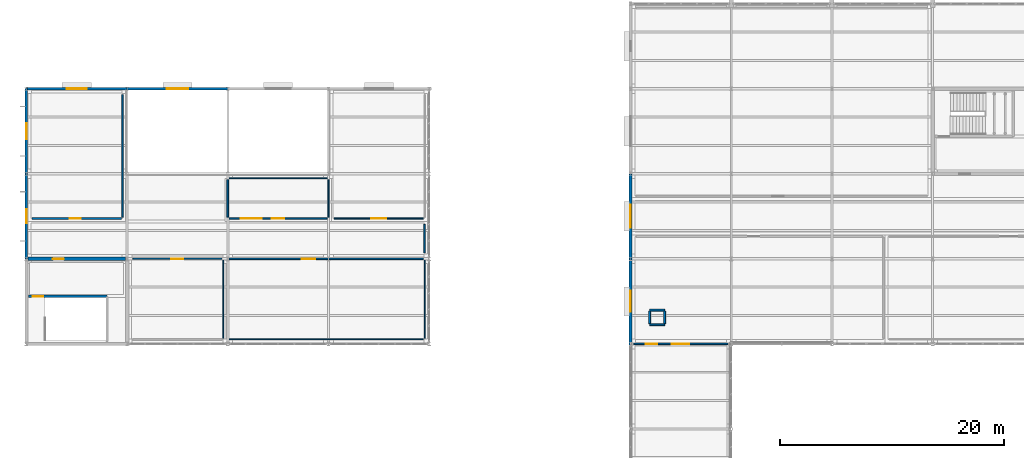
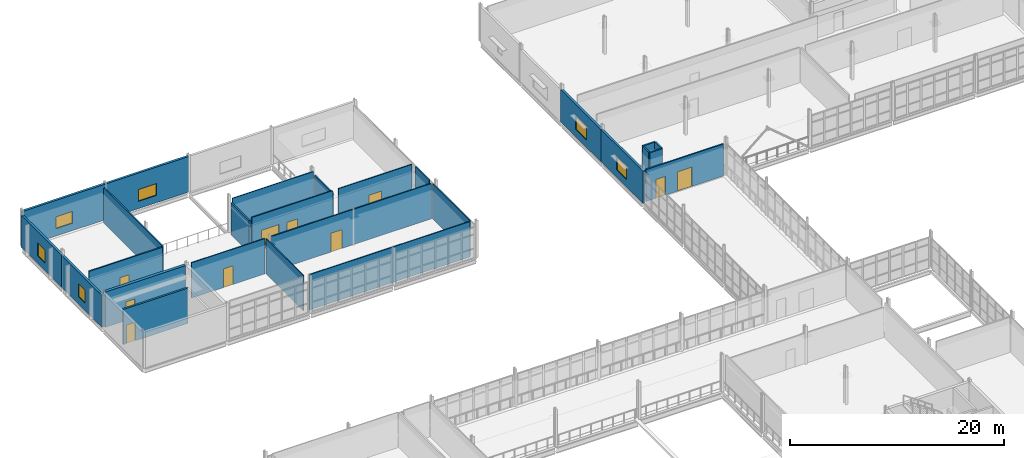
# One storey, part 158 of 174: 26 walls, 10 doors, 6 windows, 16 openings.
"""IFC4 building model written with IfcOpenShell, lengths in metres."""

import ifcopenshell
import ifcopenshell.guid

model = None  # the IFC model being written
_history = None  # IfcOwnerHistory: only IFC2X3 demands one
_inside = {}  # id of a spatial element -> (the spatial element, [elements in it])
_under = {}  # id of a project, library or spatial element -> (it, [spatial elements below it])
_declared = {}  # id of a project -> (the project, [libraries it declares])
_typed = {}  # id of a type object -> (the type object, [elements of that type])
_made_of = {}  # id of a material, layer set ... -> (it, [elements and type objects made of it])


def new_model(schema):
    """Start an empty IFC model of exactly this schema.

    Asked for "IFC4X3", IfcOpenShell would pick the latest addendum, in which some entities
    have other attributes; the version numbers below select the first issue.
    IFC2X3 requires an IfcOwnerHistory on every rooted entity: one is made here for all.
    """
    global model, _history
    if schema == "IFC4X3":
        model = ifcopenshell.file(schema_version=(4, 3, 0, 0))
    else:
        model = ifcopenshell.file(schema=schema)
    _inside.clear()
    _under.clear()
    _declared.clear()
    _typed.clear()
    _made_of.clear()
    _history = None
    if model.schema == "IFC2X3":
        org = make("IfcOrganization", Name="unknown")
        user = make(
            "IfcPersonAndOrganization",
            ThePerson=make("IfcPerson", FamilyName="unknown"),
            TheOrganization=org,
        )
        app = make(
            "IfcApplication",
            ApplicationDeveloper=org,
            Version="unknown",
            ApplicationFullName="unknown",
            ApplicationIdentifier="unknown",
        )
        _history = make(
            "IfcOwnerHistory",
            OwningUser=user,
            OwningApplication=app,
            ChangeAction="ADDED",
            CreationDate=0,
        )
    return model


def make(cls, **values):
    """One entity of the class cls with the attributes given. An attribute that is None is left unset."""
    return model.create_entity(
        cls, **{name: value for name, value in values.items() if value is not None}
    )


def rooted(cls, **values):
    """An entity with a GlobalId (a new one), such as an element, a storey or a relation."""
    return make(cls, GlobalId=ifcopenshell.guid.new(), OwnerHistory=_history, **values)


def si_unit(unit_type, name, prefix=None):
    """IfcSIUnit, for example si_unit("LENGTHUNIT", "METRE", prefix="MILLI")."""
    return make("IfcSIUnit", UnitType=unit_type, Prefix=prefix, Name=name)


def assignment(units):
    """IfcUnitAssignment: the units of a project."""
    return None if units is None else make("IfcUnitAssignment", Units=units)


def point(xyz):
    """IfcCartesianPoint."""
    return None if xyz is None else make("IfcCartesianPoint", Coordinates=xyz)


def direction(xyz):
    """IfcDirection."""
    return None if xyz is None else make("IfcDirection", DirectionRatios=xyz)


def frame(location, z_axis=None, x_axis=None):
    """IfcAxis2Placement3D, a coordinate frame: its origin and axes. An axis left out is left unset."""
    return make(
        "IfcAxis2Placement3D",
        Location=point(location),
        Axis=direction(z_axis),
        RefDirection=direction(x_axis),
    )


def frame_2d(location, x_axis=None):
    """IfcAxis2Placement2D, a coordinate frame in the plane: its origin and x axis."""
    return make(
        "IfcAxis2Placement2D", Location=point(location), RefDirection=direction(x_axis)
    )


def origin():
    """The frame at (0, 0, 0) with its axes left unset."""
    return frame((0.0, 0.0, 0.0))


def place(relative_to, where):
    """IfcLocalPlacement: puts the frame where relative to a parent placement (None: the world)."""
    return make(
        "IfcLocalPlacement", PlacementRelTo=relative_to, RelativePlacement=where
    )


def context(
    kind, dimensions, precision=None, world=None, true_north=None, identifier=None
):
    """IfcGeometricRepresentationContext, for example the 3D "Model" context."""
    return make(
        "IfcGeometricRepresentationContext",
        ContextIdentifier=identifier,
        ContextType=kind,
        CoordinateSpaceDimension=dimensions,
        Precision=precision,
        WorldCoordinateSystem=world,
        TrueNorth=true_north,
    )


def subcontext(parent, identifier, kind, view, scale=None):
    """IfcGeometricRepresentationSubContext, for example "Body" below "Model"."""
    return make(
        "IfcGeometricRepresentationSubContext",
        ContextIdentifier=identifier,
        ContextType=kind,
        ParentContext=parent,
        TargetScale=scale,
        TargetView=view,
    )


def project(units=None, contexts=None):
    """IfcProject with its units and contexts."""
    return rooted(
        "IfcProject",
        Name="project",
        RepresentationContexts=contexts,
        UnitsInContext=assignment(units),
    )


def spatial(cls, under=None, at=None, **own):
    """A site, building, storey or space (cls), placed at a placement, below another one or the project."""
    s = rooted(cls, ObjectPlacement=at, **own)
    if under is not None:
        _under.setdefault(under.id(), (under, []))[1].append(s)
    return s


def profile(cls, at=None, kind="AREA", **sizes):
    """A parametric profile (cls). Its sizes go by their IFC names, for example OverallWidth=200.0."""
    return make(cls, ProfileType=kind, Position=at, **sizes)


def rectangle(**sizes):
    """IfcRectangleProfileDef."""
    return profile("IfcRectangleProfileDef", **sizes)


def extrude(swept, where, along, depth):
    """IfcExtrudedAreaSolid: the profile swept, set in the frame where, extruded along a direction by depth."""
    return make(
        "IfcExtrudedAreaSolid",
        SweptArea=swept,
        Position=where,
        ExtrudedDirection=direction(along),
        Depth=depth,
    )


def shape(context_of_items, identifier, shape_type, items):
    """IfcShapeRepresentation: the items that make up one representation, for example the "Body"."""
    return make(
        "IfcShapeRepresentation",
        ContextOfItems=context_of_items,
        RepresentationIdentifier=identifier,
        RepresentationType=shape_type,
        Items=items,
    )


def material(Name=None, Category=None):
    """IfcMaterial."""
    return make("IfcMaterial", Name=Name, Category=Category)


def layer(
    of_material, thickness, ventilated=None, Name=None, Category=None, Priority=None
):
    """IfcMaterialLayer: one layer of a wall or slab, of a material (None: an air gap)."""
    return make(
        "IfcMaterialLayer",
        Material=of_material,
        LayerThickness=thickness,
        IsVentilated=ventilated,
        Name=Name,
        Category=Category,
        Priority=Priority,
    )


def layer_set(layers, Name=None):
    """IfcMaterialLayerSet."""
    return make("IfcMaterialLayerSet", MaterialLayers=layers, LayerSetName=Name)


def made_of(thing, what):
    """Note that an element or type object is made of a material, layer set ...; save() writes the relation."""
    if what is not None:
        _made_of.setdefault(what.id(), (what, []))[1].append(thing)
    return thing


def type_object(cls, material=None, **own):
    """A type object (cls), such as IfcWallType, which elements share."""
    return made_of(rooted(cls, **own), material)


def element(
    cls,
    number,
    at=None,
    inside=None,
    cuts=None,
    type_object=None,
    material=None,
    context=None,
    identifier="Body",
    shape_type=None,
    held_by="IfcProductDefinitionShape",
    body=None,
    shapes=None,
    **own,
):
    """One element of the class cls, such as IfcWall. Its Tag is "e" and its number.

    at: its placement. inside: the storey or other place that contains it. cuts: it is an
    opening in that element (IfcRelVoidsElement). A single representation is given by context,
    identifier, shape_type and body (its items); several are given by shapes. held_by: the class
    of the entity that holds the representations. save() writes the other relations.
    """
    e = rooted(cls, Tag="e%d" % number, ObjectPlacement=at, **own)
    if body is not None:
        shapes = [shape(context, identifier, shape_type, body)]
    if shapes is not None:
        e.Representation = make(held_by, Representations=shapes)
    if inside is not None:
        _inside.setdefault(inside.id(), (inside, []))[1].append(e)
    if cuts is not None:
        rooted(
            "IfcRelVoidsElement", RelatingBuildingElement=cuts, RelatedOpeningElement=e
        )
    if type_object is not None:
        _typed.setdefault(type_object.id(), (type_object, []))[1].append(e)
    return made_of(e, material)


def fill(opening, filler):
    """IfcRelFillsElement: the door or window that sits in an opening."""
    return rooted(
        "IfcRelFillsElement",
        RelatingOpeningElement=opening,
        RelatedBuildingElement=filler,
    )


def aggregate(whole, parts):
    """IfcRelAggregates: a whole, such as a stair, and the parts it consists of."""
    return rooted("IfcRelAggregates", RelatingObject=whole, RelatedObjects=parts)


def save(model, path):
    """Write the relations noted so far, then the file.

    IfcRelAggregates (storeys below a building ...), IfcRelContainedInSpatialStructure (elements
    in a storey), IfcRelDefinesByType, IfcRelAssociatesMaterial and IfcRelDeclares: one each for
    every whole, place, type object, material and project.
    """
    for whole, parts in _under.values():
        aggregate(whole, parts)
    for where, things in _inside.values():
        rooted(
            "IfcRelContainedInSpatialStructure",
            RelatedElements=things,
            RelatingStructure=where,
        )
    for kind, things in _typed.values():
        rooted("IfcRelDefinesByType", RelatedObjects=things, RelatingType=kind)
    for what, things in _made_of.values():
        rooted("IfcRelAssociatesMaterial", RelatedObjects=things, RelatingMaterial=what)
    for by, libraries in _declared.values():
        rooted("IfcRelDeclares", RelatingContext=by, RelatedDefinitions=libraries)
    model.write(path)


model = new_model("IFC4")

# Units and contexts
model_context = context("Model", 3, precision=1e-05, world=origin(), true_north=direction((0.0, 1.0)))
body_context = subcontext(model_context, "Body", "Model", "MODEL_VIEW")
ifc_project = project(units=[si_unit("LENGTHUNIT", "METRE"), si_unit("AREAUNIT", "SQUARE_METRE"), si_unit("VOLUMEUNIT", "CUBIC_METRE"), si_unit("PLANEANGLEUNIT", "RADIAN"), si_unit("MASSUNIT", "GRAM", prefix="KILO")], contexts=[model_context])

# Site, building, storey
site_placement = place(None, origin())
site = spatial("IfcSite", under=ifc_project, at=site_placement, CompositionType="ELEMENT")
building_placement = place(site_placement, origin())
building = spatial("IfcBuilding", under=site, at=building_placement, Name="Caisbarro Railhouse Central Library", CompositionType="ELEMENT")
storey_placement = place(building_placement, frame((0.0, 0.0, 5.0400390625)))
storey = spatial("IfcBuildingStorey", under=building, at=storey_placement, Name="L01", CompositionType="ELEMENT", Elevation=5.0400390625)

# Wall, opening, door
ifc_material_1 = material(Name="Concrete C40", Category="concrete")
ifc_layer_1 = layer(ifc_material_1, 0.320068359375, Name="Concrete C40")
ifc_layer_set_1 = layer_set([ifc_layer_1], Name="Concrete C40")
wall_type_1 = type_object("IfcWallType", Name="WAL-CW32", PredefinedType="SHEAR", material=ifc_layer_set_1)
wall_1_placement = place(storey_placement, frame((0.159912109375, 91.199951171875, 0.0), z_axis=(0.0, 0.0, 1.0), x_axis=(1.0, 0.0, 0.0)))
wall_1 = element("IfcWall", 1, at=wall_1_placement, inside=storey, type_object=wall_type_1, Name="CW32 RC core shear wall L01 #109", PredefinedType="SHEAR", context=body_context, shape_type="SweptSolid", body=[
    extrude(rectangle(XDim=8.68017578125, YDim=0.320068359375, at=frame_2d((4.340087890625, 0.0))), origin(), (0.0, 0.0, 1.0), 4.0400390625),
])
opening_1_placement = place(wall_1_placement, frame((2.199951171875, 0.0, 0.0)))
opening_1 = element("IfcOpeningElement", 2, at=opening_1_placement, cuts=wall_1, Name="Opening FD05", PredefinedType="OPENING", context=body_context, shape_type="SweptSolid", body=[
    extrude(rectangle(XDim=1.0, YDim=2.14990234375, at=frame_2d((0.5, 1.074951171875))), frame((0.0, 0.169921875, 0.0), z_axis=(0.0, -1.0, 0.0), x_axis=(1.0, 0.0, 0.0)), (0.0, 0.0, 1.0), 0.340087890625),
])
ifc_material_2 = material(Name="Fire-rated painted galvanised steel", Category="steel")
door_type_1 = type_object("IfcDoorType", Name="DR-FD05", OperationType="NOTDEFINED", PredefinedType="DOOR", material=ifc_material_2)
door_1_placement = place(opening_1_placement, origin())
door_1 = element("IfcDoor", 3, at=door_1_placement, inside=storey, type_object=door_type_1, Name="Core K8 Lobby Door FD05 L01-140", OperationType="SINGLE_SWING_LEFT", OverallHeight=2.14990234375, OverallWidth=1.0, PredefinedType="DOOR", context=body_context, shape_type="SweptSolid", body=[
    extrude(rectangle(XDim=1.0, YDim=2.14990234375, at=frame_2d((0.5, 1.074951171875))), frame((0.0, 0.02490234375, 0.0), z_axis=(0.0, -1.0, 0.0), x_axis=(1.0, 0.0, 0.0)), (0.0, 0.0, 1.0), 0.050048828125),
])
fill(opening_1, door_1)

# Wall, opening, window
ifc_material_3 = material(Name="Concrete C35 insulated architectural precast", Category="concrete")
ifc_layer_2 = layer(ifc_material_3, 0.239990234375, Name="Concrete C35 insulated architectural precast")
ifc_layer_set_2 = layer_set([ifc_layer_2], Name="Concrete C35 insulated architectural precast")
wall_type_2 = type_object("IfcWallType", Name="WAL-EW24", PredefinedType="STANDARD", material=ifc_layer_set_2)
wall_2_placement = place(storey_placement, frame((0.0, 106.39990234375, 0.0), z_axis=(0.0, 0.0, 1.0), x_axis=(1.0, 0.0, 0.0)))
wall_2 = element("IfcWall", 4, at=wall_2_placement, inside=storey, type_object=wall_type_2, Name="EW24 exterior wall L01 #149", PredefinedType="STANDARD", context=body_context, shape_type="SweptSolid", body=[
    extrude(rectangle(XDim=9.0, YDim=0.239990234375, at=frame_2d((4.5, 0.0))), origin(), (0.0, 0.0, 1.0), 4.080078125),
])
opening_2_placement = place(wall_2_placement, frame((3.625, 0.0, 0.85009765625)))
opening_2 = element("IfcOpeningElement", 5, at=opening_2_placement, cuts=wall_2, Name="Opening W15", PredefinedType="OPENING", context=body_context, shape_type="SweptSolid", body=[
    extrude(rectangle(XDim=1.75, YDim=1.35009765625, at=frame_2d((0.875, 0.675048828125))), frame((0.0, 0.1298828125, 0.0), z_axis=(0.0, -1.0, 0.0), x_axis=(1.0, 0.0, 0.0)), (0.0, 0.0, 1.0), 0.260009765625),
])
ifc_material_4 = material(Name="Double low-e laminated solar-control glass", Category="glass")
window_type_1 = type_object("IfcWindowType", Name="WIN-W15", PartitioningType="SINGLE_PANEL", PredefinedType="WINDOW", material=ifc_material_4)
window_1_placement = place(opening_2_placement, origin())
window_1 = element("IfcWindow", 6, at=window_1_placement, inside=storey, type_object=window_type_1, Name="W15 window L01-058", OverallHeight=1.35009765625, OverallWidth=1.75, PartitioningType="SINGLE_PANEL", PredefinedType="WINDOW", context=body_context, shape_type="SweptSolid", body=[
    extrude(rectangle(XDim=1.75, YDim=1.35009765625, at=frame_2d((0.875, 0.675048828125))), frame((0.0, 0.030029296875, 0.0), z_axis=(0.0, -1.0, 0.0), x_axis=(1.0, 0.0, 0.0)), (0.0, 0.0, 1.0), 0.06005859375),
])
fill(opening_2, window_1)

wall_3_placement = place(storey_placement, frame((9.0, 106.39990234375, 0.0), z_axis=(0.0, 0.0, 1.0), x_axis=(1.0, 0.0, 0.0)))
wall_3 = element("IfcWall", 7, at=wall_3_placement, inside=storey, type_object=wall_type_2, Name="EW24 exterior wall L01 #150", PredefinedType="STANDARD", context=body_context, shape_type="SweptSolid", body=[
    extrude(rectangle(XDim=9.0, YDim=0.239990234375, at=frame_2d((4.5, 0.0))), origin(), (0.0, 0.0, 1.0), 4.080078125),
])
opening_3_placement = place(wall_3_placement, frame((3.52490234375, 0.0, 0.85009765625)))
opening_3 = element("IfcOpeningElement", 8, at=opening_3_placement, cuts=wall_3, Name="Opening W16", PredefinedType="OPENING", context=body_context, shape_type="SweptSolid", body=[
    extrude(rectangle(XDim=1.949951171875, YDim=1.35009765625, at=frame_2d((0.97509765625, 0.675048828125))), frame((0.0, 0.1298828125, 0.0), z_axis=(0.0, -1.0, 0.0), x_axis=(1.0, 0.0, 0.0)), (0.0, 0.0, 1.0), 0.260009765625),
])
window_type_2 = type_object("IfcWindowType", Name="WIN-W16", PartitioningType="SINGLE_PANEL", PredefinedType="WINDOW", material=ifc_material_4)
window_2_placement = place(opening_3_placement, origin())
window_2 = element("IfcWindow", 9, at=window_2_placement, inside=storey, type_object=window_type_2, Name="W16 window L01-059", OverallHeight=1.35009765625, OverallWidth=1.949951171875, PartitioningType="SINGLE_PANEL", PredefinedType="WINDOW", context=body_context, shape_type="SweptSolid", body=[
    extrude(rectangle(XDim=1.949951171875, YDim=1.35009765625, at=frame_2d((0.97509765625, 0.675048828125))), frame((0.0, 0.030029296875, 0.0), z_axis=(0.0, -1.0, 0.0), x_axis=(1.0, 0.0, 0.0)), (0.0, 0.0, 1.0), 0.06005859375),
])
fill(opening_3, window_2)

wall_4_placement = place(storey_placement, frame((0.0, 91.199951171875, 0.0), z_axis=(0.0, 0.0, 1.0), x_axis=(0.0, 1.0, 0.0)))
wall_4 = element("IfcWall", 10, at=wall_4_placement, inside=storey, type_object=wall_type_2, Name="EW24 exterior wall L01 #154", PredefinedType="STANDARD", context=body_context, shape_type="SweptSolid", body=[
    extrude(rectangle(XDim=7.60009765625, YDim=0.239990234375, at=frame_2d((3.800048828125, 0.0))), origin(), (0.0, 0.0, 1.0), 3.659423828125),
])
opening_4_placement = place(wall_4_placement, frame((3.175048828125, 0.0, 0.85009765625)))
opening_4 = element("IfcOpeningElement", 11, at=opening_4_placement, cuts=wall_4, Name="Opening W20", PredefinedType="OPENING", context=body_context, shape_type="SweptSolid", body=[
    extrude(rectangle(XDim=1.25, YDim=1.5, at=frame_2d((0.625, 0.75))), frame((0.0, 0.1298828125, 0.0), z_axis=(0.0, -1.0, 0.0), x_axis=(1.0, 0.0, 0.0)), (0.0, 0.0, 1.0), 0.260009765625),
])
window_type_3 = type_object("IfcWindowType", Name="WIN-W20", PartitioningType="SINGLE_PANEL", PredefinedType="WINDOW", material=ifc_material_4)
window_3_placement = place(opening_4_placement, origin())
window_3 = element("IfcWindow", 12, at=window_3_placement, inside=storey, type_object=window_type_3, Name="W20 window L01-062", OverallHeight=1.5, OverallWidth=1.25, PartitioningType="SINGLE_PANEL", PredefinedType="WINDOW", context=body_context, shape_type="SweptSolid", body=[
    extrude(rectangle(XDim=1.25, YDim=1.5, at=frame_2d((0.625, 0.75))), frame((0.0, 0.030029296875, 0.0), z_axis=(0.0, -1.0, 0.0), x_axis=(1.0, 0.0, 0.0)), (0.0, 0.0, 1.0), 0.06005859375),
])
fill(opening_4, window_3)

wall_5_placement = place(storey_placement, frame((0.0, 98.800048828125, 0.0), z_axis=(0.0, 0.0, 1.0), x_axis=(0.0, 1.0, 0.0)))
wall_5 = element("IfcWall", 13, at=wall_5_placement, inside=storey, type_object=wall_type_2, Name="EW24 exterior wall L01 #155", PredefinedType="STANDARD", context=body_context, shape_type="SweptSolid", body=[
    extrude(rectangle(XDim=7.599853515625, YDim=0.239990234375, at=frame_2d((3.7998046875, 0.0))), origin(), (0.0, 0.0, 1.0), 3.659423828125),
])
opening_5_placement = place(wall_5_placement, frame((3.10009765625, 0.0, 0.85009765625)))
opening_5 = element("IfcOpeningElement", 14, at=opening_5_placement, cuts=wall_5, Name="Opening W21", PredefinedType="OPENING", context=body_context, shape_type="SweptSolid", body=[
    extrude(rectangle(XDim=1.39990234375, YDim=1.5, at=frame_2d((0.699951171875, 0.75))), frame((0.0, 0.1298828125, 0.0), z_axis=(0.0, -1.0, 0.0), x_axis=(1.0, 0.0, 0.0)), (0.0, 0.0, 1.0), 0.260009765625),
])
window_type_4 = type_object("IfcWindowType", Name="WIN-W21", PartitioningType="SINGLE_PANEL", PredefinedType="WINDOW", material=ifc_material_4)
window_4_placement = place(opening_5_placement, origin())
window_4 = element("IfcWindow", 15, at=window_4_placement, inside=storey, type_object=window_type_4, Name="W21 window L01-063", OverallHeight=1.5, OverallWidth=1.39990234375, PartitioningType="SINGLE_PANEL", PredefinedType="WINDOW", context=body_context, shape_type="SweptSolid", body=[
    extrude(rectangle(XDim=1.39990234375, YDim=1.5, at=frame_2d((0.699951171875, 0.75))), frame((0.0, 0.030029296875, 0.0), z_axis=(0.0, -1.0, 0.0), x_axis=(1.0, 0.0, 0.0)), (0.0, 0.0, 1.0), 0.06005859375),
])
fill(opening_5, window_4)

wall_6_placement = place(storey_placement, frame((54.0, 83.389892578125, 0.0), z_axis=(0.0, 0.0, 1.0), x_axis=(0.0, 1.0, 0.0)))
wall_6 = element("IfcWall", 16, at=wall_6_placement, inside=storey, type_object=wall_type_2, Name="EW24 exterior wall L01 #241", PredefinedType="STANDARD", context=body_context, shape_type="SweptSolid", body=[
    extrude(rectangle(XDim=7.81005859375, YDim=0.239990234375, at=frame_2d((3.905029296875, 0.0))), origin(), (0.0, 0.0, 1.0), 3.700927734375),
])
opening_6_placement = place(wall_6_placement, frame((3.0849609375, 0.0, 0.85009765625)))
opening_6 = element("IfcOpeningElement", 17, at=opening_6_placement, cuts=wall_6, Name="Opening W23", PredefinedType="OPENING", context=body_context, shape_type="SweptSolid", body=[
    extrude(rectangle(XDim=1.85009765625, YDim=1.5, at=frame_2d((0.925048828125, 0.75))), frame((0.0, 0.1298828125, 0.0), z_axis=(0.0, -1.0, 0.0), x_axis=(1.0, 0.0, 0.0)), (0.0, 0.0, 1.0), 0.260009765625),
])
window_type_5 = type_object("IfcWindowType", Name="WIN-W23", PartitioningType="SINGLE_PANEL", PredefinedType="WINDOW", material=ifc_material_4)
window_5_placement = place(opening_6_placement, origin())
window_5 = element("IfcWindow", 18, at=window_5_placement, inside=storey, type_object=window_type_5, Name="W23 window L01-089", OverallHeight=1.5, OverallWidth=1.85009765625, PartitioningType="SINGLE_PANEL", PredefinedType="WINDOW", context=body_context, shape_type="SweptSolid", body=[
    extrude(rectangle(XDim=1.85009765625, YDim=1.5, at=frame_2d((0.925048828125, 0.75))), frame((0.0, 0.030029296875, 0.0), z_axis=(0.0, -1.0, 0.0), x_axis=(1.0, 0.0, 0.0)), (0.0, 0.0, 1.0), 0.06005859375),
])
fill(opening_6, window_5)

wall_7_placement = place(storey_placement, frame((54.0, 91.199951171875, 0.0), z_axis=(0.0, 0.0, 1.0), x_axis=(0.0, 1.0, 0.0)))
wall_7 = element("IfcWall", 19, at=wall_7_placement, inside=storey, type_object=wall_type_2, Name="EW24 exterior wall L01 #242", PredefinedType="STANDARD", context=body_context, shape_type="SweptSolid", body=[
    extrude(rectangle(XDim=7.60009765625, YDim=0.239990234375, at=frame_2d((3.800048828125, 0.0))), origin(), (0.0, 0.0, 1.0), 3.700927734375),
])
opening_7_placement = place(wall_7_placement, frame((2.77490234375, 0.0, 0.85009765625)))
opening_7 = element("IfcOpeningElement", 20, at=opening_7_placement, cuts=wall_7, Name="Opening W24", PredefinedType="OPENING", context=body_context, shape_type="SweptSolid", body=[
    extrude(rectangle(XDim=2.050048828125, YDim=1.5, at=frame_2d((1.02490234375, 0.75))), frame((0.0, 0.1298828125, 0.0), z_axis=(0.0, -1.0, 0.0), x_axis=(1.0, 0.0, 0.0)), (0.0, 0.0, 1.0), 0.260009765625),
])
window_type_6 = type_object("IfcWindowType", Name="WIN-W24", PartitioningType="SINGLE_PANEL", PredefinedType="WINDOW", material=ifc_material_4)
window_6_placement = place(opening_7_placement, origin())
window_6 = element("IfcWindow", 21, at=window_6_placement, inside=storey, type_object=window_type_6, Name="W24 window L01-090", OverallHeight=1.5, OverallWidth=2.050048828125, PartitioningType="SINGLE_PANEL", PredefinedType="WINDOW", context=body_context, shape_type="SweptSolid", body=[
    extrude(rectangle(XDim=2.050048828125, YDim=1.5, at=frame_2d((1.02490234375, 0.75))), frame((0.0, 0.030029296875, 0.0), z_axis=(0.0, -1.0, 0.0), x_axis=(1.0, 0.0, 0.0)), (0.0, 0.0, 1.0), 0.06005859375),
])
fill(opening_7, window_6)

# Walls
ifc_material_5 = material(Name="Acoustic gypsum board on galvanised steel studs", Category="steel")
ifc_layer_3 = layer(ifc_material_5, 0.090087890625, Name="Acoustic gypsum board on galvanised steel studs")
ifc_layer_set_3 = layer_set([ifc_layer_3], Name="Acoustic gypsum board on galvanised steel studs")
wall_type_3 = type_object("IfcWallType", Name="WAL-IW09", PredefinedType="PARTITIONING", material=ifc_layer_set_3)
wall_8_placement = place(storey_placement, frame((17.60009765625, 84.1201171875, 0.0), z_axis=(0.0, 0.0, 1.0), x_axis=(0.0, 1.0, 0.0)))
element("IfcWall", 22, at=wall_8_placement, inside=storey, type_object=wall_type_3, Name="IW09 partition wall L01 #411", PredefinedType="PARTITIONING", context=body_context, shape_type="SweptSolid", body=[
    extrude(rectangle(XDim=6.9599609375, YDim=0.090087890625, at=frame_2d((3.47998046875, 0.0))), origin(), (0.0, 0.0, 1.0), 4.0400390625),
])
wall_9_placement = place(storey_placement, frame((18.1201171875, 98.39990234375, 0.0), z_axis=(0.0, 0.0, 1.0), x_axis=(1.0, 0.0, 0.0)))
element("IfcWall", 23, at=wall_9_placement, inside=storey, type_object=wall_type_3, Name="IW09 partition wall L01 #415", PredefinedType="PARTITIONING", context=body_context, shape_type="SweptSolid", body=[
    extrude(rectangle(XDim=8.759765625, YDim=0.090087890625, at=frame_2d((4.3798828125, 0.0))), origin(), (0.0, 0.0, 1.0), 4.0400390625),
])
wall_10_placement = place(storey_placement, frame((35.60009765625, 84.1201171875, 0.0), z_axis=(0.0, 0.0, 1.0), x_axis=(0.0, 1.0, 0.0)))
element("IfcWall", 24, at=wall_10_placement, inside=storey, type_object=wall_type_3, Name="IW09 partition wall L01 #419", PredefinedType="PARTITIONING", context=body_context, shape_type="SweptSolid", body=[
    extrude(rectangle(XDim=6.9599609375, YDim=0.090087890625, at=frame_2d((3.47998046875, 0.0))), origin(), (0.0, 0.0, 1.0), 4.0400390625),
])

# Wall, opening, door
ifc_layer_4 = layer(ifc_material_5, 0.110107421875, Name="Acoustic gypsum board on galvanised steel studs")
ifc_layer_set_4 = layer_set([ifc_layer_4], Name="Acoustic gypsum board on galvanised steel studs")
wall_type_4 = type_object("IfcWallType", Name="WAL-IW11", PredefinedType="PARTITIONING", material=ifc_layer_set_4)
wall_11_placement = place(storey_placement, frame((9.52001953125, 91.199951171875, 0.0), z_axis=(0.0, 0.0, 1.0), x_axis=(1.0, 0.0, 0.0)))
wall_11 = element("IfcWall", 25, at=wall_11_placement, inside=storey, type_object=wall_type_4, Name="IW11 partition wall L01 #410", PredefinedType="PARTITIONING", context=body_context, shape_type="SweptSolid", body=[
    extrude(rectangle(XDim=7.9599609375, YDim=0.110107421875, at=frame_2d((3.97998046875, 0.0))), origin(), (0.0, 0.0, 1.0), 4.0400390625),
])
opening_8_placement = place(wall_11_placement, frame((3.445068359375, 0.0, 0.0)))
opening_8 = element("IfcOpeningElement", 26, at=opening_8_placement, cuts=wall_11, Name="Opening ID28", PredefinedType="OPENING", context=body_context, shape_type="SweptSolid", body=[
    extrude(rectangle(XDim=1.070068359375, YDim=2.14990234375, at=frame_2d((0.53515625, 1.074951171875))), frame((0.0, 0.06494140625, 0.0), z_axis=(0.0, -1.0, 0.0), x_axis=(1.0, 0.0, 0.0)), (0.0, 0.0, 1.0), 0.130126953125),
])
ifc_material_6 = material(Name="Solid-core tropical hardwood veneer", Category="wood")
door_type_2 = type_object("IfcDoorType", Name="DR-ID28", OperationType="NOTDEFINED", PredefinedType="DOOR", material=ifc_material_6)
door_2_placement = place(opening_8_placement, origin())
door_2 = element("IfcDoor", 27, at=door_2_placement, inside=storey, type_object=door_type_2, Name="Young Adult Graphic-Novel Studio Door ID28 L01-247", OperationType="SINGLE_SWING_LEFT", OverallHeight=2.14990234375, OverallWidth=1.070068359375, PredefinedType="DOOR", context=body_context, shape_type="SweptSolid", body=[
    extrude(rectangle(XDim=1.070068359375, YDim=2.14990234375, at=frame_2d((0.53515625, 1.074951171875))), frame((0.0, 0.02490234375, 0.0), z_axis=(0.0, -1.0, 0.0), x_axis=(1.0, 0.0, 0.0)), (0.0, 0.0, 1.0), 0.050048828125),
])
fill(opening_8, door_2)

# Walls
wall_12_placement = place(storey_placement, frame((27.0, 94.919921875, 0.0), z_axis=(0.0, 0.0, 1.0), x_axis=(0.0, 1.0, 0.0)))
element("IfcWall", 28, at=wall_12_placement, inside=storey, type_object=wall_type_4, Name="IW11 partition wall L01 #414", PredefinedType="PARTITIONING", context=body_context, shape_type="SweptSolid", body=[
    extrude(rectangle(XDim=3.360107421875, YDim=0.110107421875, at=frame_2d((1.68017578125, 0.0))), origin(), (0.0, 0.0, 1.0), 3.659423828125),
])
wall_13_placement = place(storey_placement, frame((18.1201171875, 84.0, 0.0), z_axis=(0.0, 0.0, 1.0), x_axis=(1.0, 0.0, 0.0)))
element("IfcWall", 29, at=wall_13_placement, inside=storey, type_object=wall_type_4, Name="IW11 partition wall L01 #418", PredefinedType="PARTITIONING", context=body_context, shape_type="SweptSolid", body=[
    extrude(rectangle(XDim=17.35986328125, YDim=0.110107421875, at=frame_2d((8.679931640625, 0.0))), origin(), (0.0, 0.0, 1.0), 4.0400390625),
])

# Wall, opening, door
wall_14_placement = place(storey_placement, frame((27.52001953125, 94.800048828125, 0.0), z_axis=(0.0, 0.0, 1.0), x_axis=(1.0, 0.0, 0.0)))
wall_14 = element("IfcWall", 30, at=wall_14_placement, inside=storey, type_object=wall_type_4, Name="IW11 partition wall L01 #422", PredefinedType="PARTITIONING", context=body_context, shape_type="SweptSolid", body=[
    extrude(rectangle(XDim=7.9599609375, YDim=0.110107421875, at=frame_2d((3.97998046875, 0.0))), origin(), (0.0, 0.0, 1.0), 4.0400390625),
])
opening_9_placement = place(wall_14_placement, frame((3.294921875, 0.0, 0.0)))
opening_9 = element("IfcOpeningElement", 31, at=opening_9_placement, cuts=wall_14, Name="Opening ID32", PredefinedType="OPENING", context=body_context, shape_type="SweptSolid", body=[
    extrude(rectangle(XDim=1.3701171875, YDim=2.14990234375, at=frame_2d((0.68505859375, 1.074951171875))), frame((0.0, 0.06494140625, 0.0), z_axis=(0.0, -1.0, 0.0), x_axis=(1.0, 0.0, 0.0)), (0.0, 0.0, 1.0), 0.130126953125),
])
door_type_3 = type_object("IfcDoorType", Name="DR-ID32", OperationType="NOTDEFINED", PredefinedType="DOOR", material=ifc_material_6)
door_3_placement = place(opening_9_placement, origin())
door_3 = element("IfcDoor", 32, at=door_3_placement, inside=storey, type_object=door_type_3, Name="Storytelling Mezzanine East Door ID32 L01-251", OperationType="SINGLE_SWING_LEFT", OverallHeight=2.14990234375, OverallWidth=1.3701171875, PredefinedType="DOOR", context=body_context, shape_type="SweptSolid", body=[
    extrude(rectangle(XDim=1.3701171875, YDim=2.14990234375, at=frame_2d((0.68505859375, 1.074951171875))), frame((0.0, 0.02490234375, 0.0), z_axis=(0.0, -1.0, 0.0), x_axis=(1.0, 0.0, 0.0)), (0.0, 0.0, 1.0), 0.050048828125),
])
fill(opening_9, door_3)

# Wall, openings, doors
ifc_layer_5 = layer(ifc_material_5, 0.1298828125, Name="Acoustic gypsum board on galvanised steel studs")
ifc_layer_set_5 = layer_set([ifc_layer_5], Name="Acoustic gypsum board on galvanised steel studs")
wall_type_5 = type_object("IfcWallType", Name="WAL-IW13", PredefinedType="PARTITIONING", material=ifc_layer_set_5)
wall_15_placement = place(storey_placement, frame((18.1201171875, 94.800048828125, 0.0), z_axis=(0.0, 0.0, 1.0), x_axis=(1.0, 0.0, 0.0)))
wall_15 = element("IfcWall", 33, at=wall_15_placement, inside=storey, type_object=wall_type_5, Name="IW13 partition wall L01 #413", PredefinedType="PARTITIONING", context=body_context, shape_type="SweptSolid", body=[
    extrude(rectangle(XDim=8.759765625, YDim=0.1298828125, at=frame_2d((4.3798828125, 0.0))), origin(), (0.0, 0.0, 1.0), 4.0400390625),
])
opening_10_placement = place(wall_15_placement, frame((3.81494140625, 0.0, 0.0)))
opening_10 = element("IfcOpeningElement", 34, at=opening_10_placement, cuts=wall_15, Name="Opening ID29", PredefinedType="OPENING", context=body_context, shape_type="SweptSolid", body=[
    extrude(rectangle(XDim=1.1298828125, YDim=2.14990234375, at=frame_2d((0.56494140625, 1.074951171875))), frame((0.0, 0.074951171875, 0.0), z_axis=(0.0, -1.0, 0.0), x_axis=(1.0, 0.0, 0.0)), (0.0, 0.0, 1.0), 0.14990234375),
])
opening_11_placement = place(wall_15_placement, frame((1.0400390625, 0.0, 0.0)))
opening_11 = element("IfcOpeningElement", 35, at=opening_11_placement, cuts=wall_15, Name="Opening ID52", PredefinedType="OPENING", context=body_context, shape_type="SweptSolid", body=[
    extrude(rectangle(XDim=1.8798828125, YDim=2.199951171875, at=frame_2d((0.93994140625, 1.10009765625))), frame((0.0, 0.074951171875, 0.0), z_axis=(0.0, -1.0, 0.0), x_axis=(1.0, 0.0, 0.0)), (0.0, 0.0, 1.0), 0.14990234375),
])
door_type_4 = type_object("IfcDoorType", Name="DR-ID29", OperationType="NOTDEFINED", PredefinedType="DOOR", material=ifc_material_6)
door_4_placement = place(opening_10_placement, origin())
door_4 = element("IfcDoor", 36, at=door_4_placement, inside=storey, type_object=door_type_4, Name="Homework Tutoring Classroom Door ID29 L01-248", OperationType="SINGLE_SWING_RIGHT", OverallHeight=2.14990234375, OverallWidth=1.1298828125, PredefinedType="DOOR", context=body_context, shape_type="SweptSolid", body=[
    extrude(rectangle(XDim=1.1298828125, YDim=2.14990234375, at=frame_2d((0.56494140625, 1.074951171875))), frame((0.0, 0.02490234375, 0.0), z_axis=(0.0, -1.0, 0.0), x_axis=(1.0, 0.0, 0.0)), (0.0, 0.0, 1.0), 0.050048828125),
])
fill(opening_10, door_4)
door_type_5 = type_object("IfcDoorType", Name="DR-ID52", OperationType="NOTDEFINED", PredefinedType="DOOR", material=ifc_material_6)
door_5_placement = place(opening_11_placement, origin())
door_5 = element("IfcDoor", 37, at=door_5_placement, inside=storey, type_object=door_type_5, Name="Children Mezzanine Corridor L01 Door ID52 L01-269", OperationType="SINGLE_SWING_LEFT", OverallHeight=2.199951171875, OverallWidth=1.8798828125, PredefinedType="DOOR", context=body_context, shape_type="SweptSolid", body=[
    extrude(rectangle(XDim=1.8798828125, YDim=2.199951171875, at=frame_2d((0.93994140625, 1.10009765625))), frame((0.0, 0.02490234375, 0.0), z_axis=(0.0, -1.0, 0.0), x_axis=(1.0, 0.0, 0.0)), (0.0, 0.0, 1.0), 0.050048828125),
])
fill(opening_11, door_5)

# Wall, opening, door
wall_16_placement = place(storey_placement, frame((18.1201171875, 91.199951171875, 0.0), z_axis=(0.0, 0.0, 1.0), x_axis=(1.0, 0.0, 0.0)))
wall_16 = element("IfcWall", 38, at=wall_16_placement, inside=storey, type_object=wall_type_5, Name="IW13 partition wall L01 #417", PredefinedType="PARTITIONING", context=body_context, shape_type="SweptSolid", body=[
    extrude(rectangle(XDim=17.35986328125, YDim=0.1298828125, at=frame_2d((8.679931640625, 0.0))), origin(), (0.0, 0.0, 1.0), 4.0400390625),
])
opening_12_placement = place(wall_16_placement, frame((6.47509765625, 0.0, 0.0)))
opening_12 = element("IfcOpeningElement", 39, at=opening_12_placement, cuts=wall_16, Name="Opening ID30", PredefinedType="OPENING", context=body_context, shape_type="SweptSolid", body=[
    extrude(rectangle(XDim=1.2099609375, YDim=2.14990234375, at=frame_2d((0.60498046875, 1.074951171875))), frame((0.0, 0.074951171875, 0.0), z_axis=(0.0, -1.0, 0.0), x_axis=(1.0, 0.0, 0.0)), (0.0, 0.0, 1.0), 0.14990234375),
])
door_type_6 = type_object("IfcDoorType", Name="DR-ID30", OperationType="NOTDEFINED", PredefinedType="DOOR", material=ifc_material_6)
door_6_placement = place(opening_12_placement, origin())
door_6 = element("IfcDoor", 40, at=door_6_placement, inside=storey, type_object=door_type_6, Name="Youth Media Reading Room Door ID30 L01-249", OperationType="SINGLE_SWING_LEFT", OverallHeight=2.14990234375, OverallWidth=1.2099609375, PredefinedType="DOOR", context=body_context, shape_type="SweptSolid", body=[
    extrude(rectangle(XDim=1.2099609375, YDim=2.14990234375, at=frame_2d((0.60498046875, 1.074951171875))), frame((0.0, 0.02490234375, 0.0), z_axis=(0.0, -1.0, 0.0), x_axis=(1.0, 0.0, 0.0)), (0.0, 0.0, 1.0), 0.050048828125),
])
fill(opening_12, door_6)

# Walls
wall_17_placement = place(storey_placement, frame((8.60009765625, 94.919921875, 0.0), z_axis=(0.0, 0.0, 1.0), x_axis=(0.0, 1.0, 0.0)))
element("IfcWall", 41, at=wall_17_placement, inside=storey, type_object=wall_type_5, Name="IW13 partition wall L01 #421", PredefinedType="PARTITIONING", context=body_context, shape_type="SweptSolid", body=[
    extrude(rectangle(XDim=10.9599609375, YDim=0.1298828125, at=frame_2d((5.47998046875, 0.0))), origin(), (0.0, 0.0, 1.0), 4.0400390625),
])
wall_18_placement = place(storey_placement, frame((35.60009765625, 91.719970703125, 0.0), z_axis=(0.0, 0.0, 1.0), x_axis=(0.0, 1.0, 0.0)))
element("IfcWall", 42, at=wall_18_placement, inside=storey, type_object=wall_type_5, Name="IW13 partition wall L01 #461", PredefinedType="PARTITIONING", context=body_context, shape_type="SweptSolid", body=[
    extrude(rectangle(XDim=2.56005859375, YDim=0.1298828125, at=frame_2d((1.280029296875, 0.0))), origin(), (0.0, 0.0, 1.0), 4.0400390625),
])

# Wall, openings, doors
ifc_layer_6 = layer(ifc_material_5, 0.14990234375, Name="Acoustic gypsum board on galvanised steel studs")
ifc_layer_set_6 = layer_set([ifc_layer_6], Name="Acoustic gypsum board on galvanised steel studs")
wall_type_6 = type_object("IfcWallType", Name="WAL-IW15", PredefinedType="PARTITIONING", material=ifc_layer_set_6)
wall_19_placement = place(storey_placement, frame((54.300048828125, 83.60009765625, 0.0), z_axis=(0.0, 0.0, 1.0), x_axis=(1.0, 0.0, 0.0)))
wall_19 = element("IfcWall", 43, at=wall_19_placement, inside=storey, type_object=wall_type_6, Name="IW15 partition wall L01 #369", PredefinedType="PARTITIONING", context=body_context, shape_type="SweptSolid", body=[
    extrude(rectangle(XDim=8.39990234375, YDim=0.14990234375, at=frame_2d((4.199951171875, 0.0))), origin(), (0.0, 0.0, 1.0), 3.65087890625),
])
opening_13_placement = place(wall_19_placement, frame((3.39990234375, 0.0, 0.0)))
opening_13 = element("IfcOpeningElement", 44, at=opening_13_placement, cuts=wall_19, Name="Opening FD07", PredefinedType="OPENING", context=body_context, shape_type="SweptSolid", body=[
    extrude(rectangle(XDim=1.550048828125, YDim=2.199951171875, at=frame_2d((0.77490234375, 1.10009765625))), frame((0.0, 0.0849609375, 0.0), z_axis=(0.0, -1.0, 0.0), x_axis=(1.0, 0.0, 0.0)), (0.0, 0.0, 1.0), 0.169921875),
])
opening_14_placement = place(wall_19_placement, frame((1.074951171875, 0.0, 0.0)))
opening_14 = element("IfcOpeningElement", 45, at=opening_14_placement, cuts=wall_19, Name="Opening FD05", PredefinedType="OPENING", context=body_context, shape_type="SweptSolid", body=[
    extrude(rectangle(XDim=1.0, YDim=2.14990234375, at=frame_2d((0.5, 1.074951171875))), frame((0.0, 0.0849609375, 0.0), z_axis=(0.0, -1.0, 0.0), x_axis=(1.0, 0.0, 0.0)), (0.0, 0.0, 1.0), 0.169921875),
])
door_7_placement = place(opening_14_placement, origin())
door_7 = element("IfcDoor", 46, at=door_7_placement, inside=storey, type_object=door_type_1, Name="Robotics and 3D-Fabrication Studio Door FD05 L01-252", OperationType="SINGLE_SWING_RIGHT", OverallHeight=2.14990234375, OverallWidth=1.0, PredefinedType="DOOR", context=body_context, shape_type="SweptSolid", body=[
    extrude(rectangle(XDim=1.0, YDim=2.14990234375, at=frame_2d((0.5, 1.074951171875))), frame((0.0, 0.02490234375, 0.0), z_axis=(0.0, -1.0, 0.0), x_axis=(1.0, 0.0, 0.0)), (0.0, 0.0, 1.0), 0.050048828125),
])
fill(opening_14, door_7)
door_type_7 = type_object("IfcDoorType", Name="DR-FD07", OperationType="NOTDEFINED", PredefinedType="DOOR", material=ifc_material_2)
door_8_placement = place(opening_13_placement, origin())
door_8 = element("IfcDoor", 47, at=door_8_placement, inside=storey, type_object=door_type_7, Name="Bridge North Door FD07 L01-228", OperationType="SINGLE_SWING_RIGHT", OverallHeight=2.199951171875, OverallWidth=1.550048828125, PredefinedType="DOOR", context=body_context, shape_type="SweptSolid", body=[
    extrude(rectangle(XDim=1.550048828125, YDim=2.199951171875, at=frame_2d((0.77490234375, 1.10009765625))), frame((0.0, 0.02490234375, 0.0), z_axis=(0.0, -1.0, 0.0), x_axis=(1.0, 0.0, 0.0)), (0.0, 0.0, 1.0), 0.050048828125),
])
fill(opening_13, door_8)

# Wall
wall_20_placement = place(storey_placement, frame((18.0, 94.919921875, 0.0), z_axis=(0.0, 0.0, 1.0), x_axis=(0.0, 1.0, 0.0)))
element("IfcWall", 48, at=wall_20_placement, inside=storey, type_object=wall_type_6, Name="IW15 partition wall L01 #416", PredefinedType="PARTITIONING", context=body_context, shape_type="SweptSolid", body=[
    extrude(rectangle(XDim=3.360107421875, YDim=0.14990234375, at=frame_2d((1.68017578125, 0.0))), origin(), (0.0, 0.0, 1.0), 3.659423828125),
])

# Wall, opening, door
wall_21_placement = place(storey_placement, frame((0.52001953125, 94.800048828125, 0.0), z_axis=(0.0, 0.0, 1.0), x_axis=(1.0, 0.0, 0.0)))
wall_21 = element("IfcWall", 49, at=wall_21_placement, inside=storey, type_object=wall_type_6, Name="IW15 partition wall L01 #420", PredefinedType="PARTITIONING", context=body_context, shape_type="SweptSolid", body=[
    extrude(rectangle(XDim=7.9599609375, YDim=0.14990234375, at=frame_2d((3.97998046875, 0.0))), origin(), (0.0, 0.0, 1.0), 4.0400390625),
])
opening_15_placement = place(wall_21_placement, frame((3.3349609375, 0.0, 0.0)))
opening_15 = element("IfcOpeningElement", 50, at=opening_15_placement, cuts=wall_21, Name="Opening FD05", PredefinedType="OPENING", context=body_context, shape_type="SweptSolid", body=[
    extrude(rectangle(XDim=1.0, YDim=2.14990234375, at=frame_2d((0.5, 1.074951171875))), frame((0.0, 0.0849609375, 0.0), z_axis=(0.0, -1.0, 0.0), x_axis=(1.0, 0.0, 0.0)), (0.0, 0.0, 1.0), 0.169921875),
])
door_9_placement = place(opening_15_placement, origin())
door_9 = element("IfcDoor", 51, at=door_9_placement, inside=storey, type_object=door_type_1, Name="Storytelling Mezzanine West Door FD05 L01-250", OperationType="SINGLE_SWING_RIGHT", OverallHeight=2.14990234375, OverallWidth=1.0, PredefinedType="DOOR", context=body_context, shape_type="SweptSolid", body=[
    extrude(rectangle(XDim=1.0, YDim=2.14990234375, at=frame_2d((0.5, 1.074951171875))), frame((0.0, 0.02490234375, 0.0), z_axis=(0.0, -1.0, 0.0), x_axis=(1.0, 0.0, 0.0)), (0.0, 0.0, 1.0), 0.050048828125),
])
fill(opening_15, door_9)

# Walls
ifc_material_7 = material(Name="Plastered cellular concrete masonry", Category="masonry")
ifc_layer_7 = layer(ifc_material_7, 0.169921875, Name="Plastered cellular concrete masonry")
ifc_layer_set_7 = layer_set([ifc_layer_7], Name="Plastered cellular concrete masonry")
wall_type_7 = type_object("IfcWallType", Name="WAL-IW17", PredefinedType="PARTITIONING", material=ifc_layer_set_7)
wall_22_placement = place(storey_placement, frame((55.7099609375, 85.31005859375, 0.0), z_axis=(0.0, 0.0, 1.0), x_axis=(1.0, 0.0, 0.0)))
element("IfcWall", 52, at=wall_22_placement, inside=storey, type_object=wall_type_7, Name="IW17 partition wall L01 #207", PredefinedType="PARTITIONING", context=body_context, shape_type="SweptSolid", body=[
    extrude(rectangle(XDim=1.340087890625, YDim=0.169921875, at=frame_2d((0.669921875, 0.0))), origin(), (0.0, 0.0, 1.0), 4.0400390625),
])
wall_23_placement = place(storey_placement, frame((57.050048828125, 85.39990234375, 0.0), z_axis=(0.0, 0.0, 1.0), x_axis=(0.0, 1.0, 0.0)))
element("IfcWall", 53, at=wall_23_placement, inside=storey, type_object=wall_type_7, Name="IW17 partition wall L01 #208", PredefinedType="PARTITIONING", context=body_context, shape_type="SweptSolid", body=[
    extrude(rectangle(XDim=1.1201171875, YDim=0.169921875, at=frame_2d((0.56005859375, 0.0))), origin(), (0.0, 0.0, 1.0), 4.0400390625),
])
wall_24_placement = place(storey_placement, frame((57.050048828125, 86.610107421875, 0.0), z_axis=(0.0, 0.0, 1.0), x_axis=(-1.0, 0.0, 0.0)))
element("IfcWall", 54, at=wall_24_placement, inside=storey, type_object=wall_type_7, Name="IW17 partition wall L01 #209", PredefinedType="PARTITIONING", context=body_context, shape_type="SweptSolid", body=[
    extrude(rectangle(XDim=1.340087890625, YDim=0.169921875, at=frame_2d((0.669921875, 0.0))), origin(), (0.0, 0.0, 1.0), 4.0400390625),
])
wall_25_placement = place(storey_placement, frame((55.7099609375, 86.52001953125, 0.0), z_axis=(0.0, 0.0, 1.0), x_axis=(0.0, -1.0, 0.0)))
element("IfcWall", 55, at=wall_25_placement, inside=storey, type_object=wall_type_7, Name="IW17 partition wall L01 #210", PredefinedType="PARTITIONING", context=body_context, shape_type="SweptSolid", body=[
    extrude(rectangle(XDim=1.1201171875, YDim=0.169921875, at=frame_2d((0.56005859375, 0.0))), origin(), (0.0, 0.0, 1.0), 4.0400390625),
])

# Wall, opening, door
ifc_layer_8 = layer(ifc_material_1, 0.2099609375, Name="Concrete C40")
ifc_layer_set_8 = layer_set([ifc_layer_8], Name="Concrete C40")
wall_type_8 = type_object("IfcWallType", Name="WAL-SW21", PredefinedType="SOLIDWALL", material=ifc_layer_set_8)
wall_26_placement = place(storey_placement, frame((0.199951171875, 87.85009765625, 0.0), z_axis=(0.0, 0.0, 1.0), x_axis=(1.0, 0.0, 0.0)))
wall_26 = element("IfcWall", 56, at=wall_26_placement, inside=storey, type_object=wall_type_8, Name="SW21 core shaft wall L01 #163", PredefinedType="SOLIDWALL", context=body_context, shape_type="SweptSolid", body=[
    extrude(rectangle(XDim=7.0, YDim=0.2099609375, at=frame_2d((3.5, 0.0))), origin(), (0.0, 0.0, 1.0), 4.0400390625),
])
opening_16_placement = place(wall_26_placement, frame((0.35009765625, 0.0, 0.0)))
opening_16 = element("IfcOpeningElement", 57, at=opening_16_placement, cuts=wall_26, Name="Opening FD01", PredefinedType="OPENING", context=body_context, shape_type="SweptSolid", body=[
    extrude(rectangle(XDim=0.949951171875, YDim=2.1201171875, at=frame_2d((0.47509765625, 1.06005859375))), frame((0.0, 0.114990234375, 0.0), z_axis=(0.0, -1.0, 0.0), x_axis=(1.0, 0.0, 0.0)), (0.0, 0.0, 1.0), 0.22998046875),
])
door_type_8 = type_object("IfcDoorType", Name="DR-FD01", OperationType="NOTDEFINED", PredefinedType="DOOR", material=ifc_material_2)
door_10_placement = place(opening_16_placement, origin())
door_10 = element("IfcDoor", 58, at=door_10_placement, inside=storey, type_object=door_type_8, Name="Stair ST-08 Fire Door FD01 L01-139", OperationType="SINGLE_SWING_RIGHT", OverallHeight=2.1201171875, OverallWidth=0.949951171875, PredefinedType="DOOR", context=body_context, shape_type="SweptSolid", body=[
    extrude(rectangle(XDim=0.949951171875, YDim=2.1201171875, at=frame_2d((0.47509765625, 1.06005859375))), frame((0.0, 0.02490234375, 0.0), z_axis=(0.0, -1.0, 0.0), x_axis=(1.0, 0.0, 0.0)), (0.0, 0.0, 1.0), 0.050048828125),
])
fill(opening_16, door_10)

save(model, "model.ifc")
